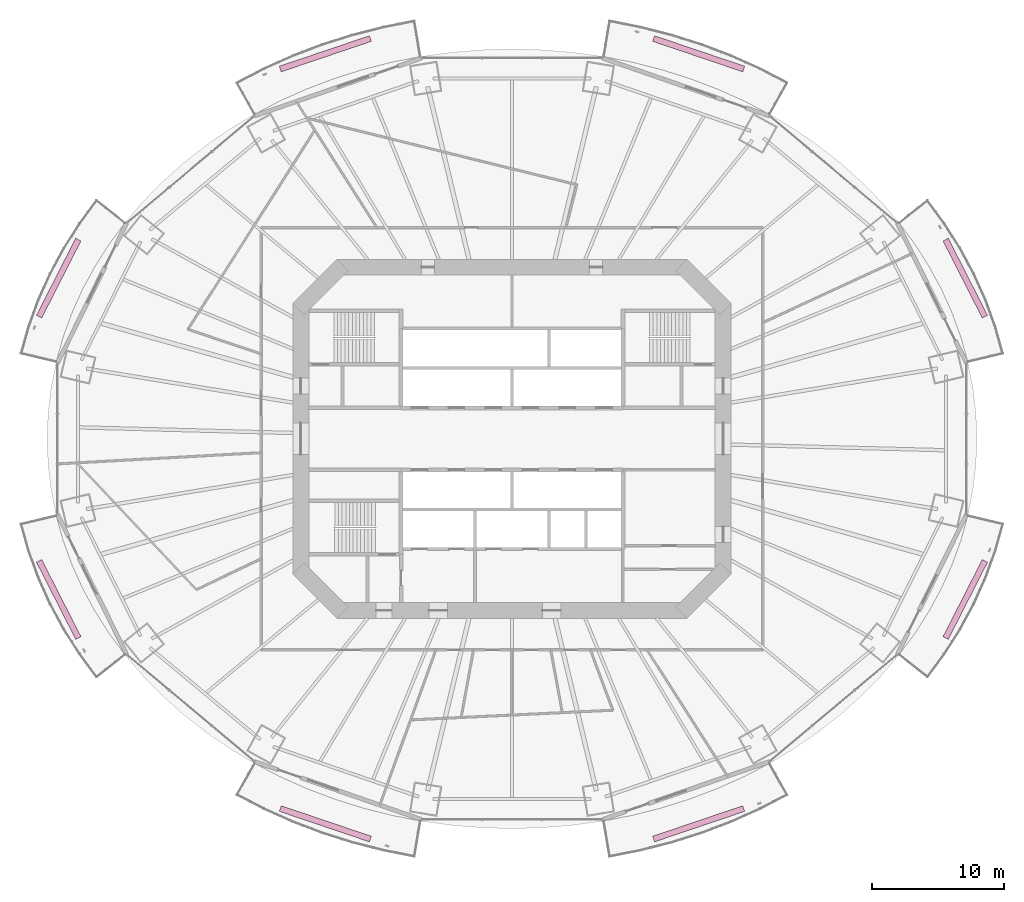
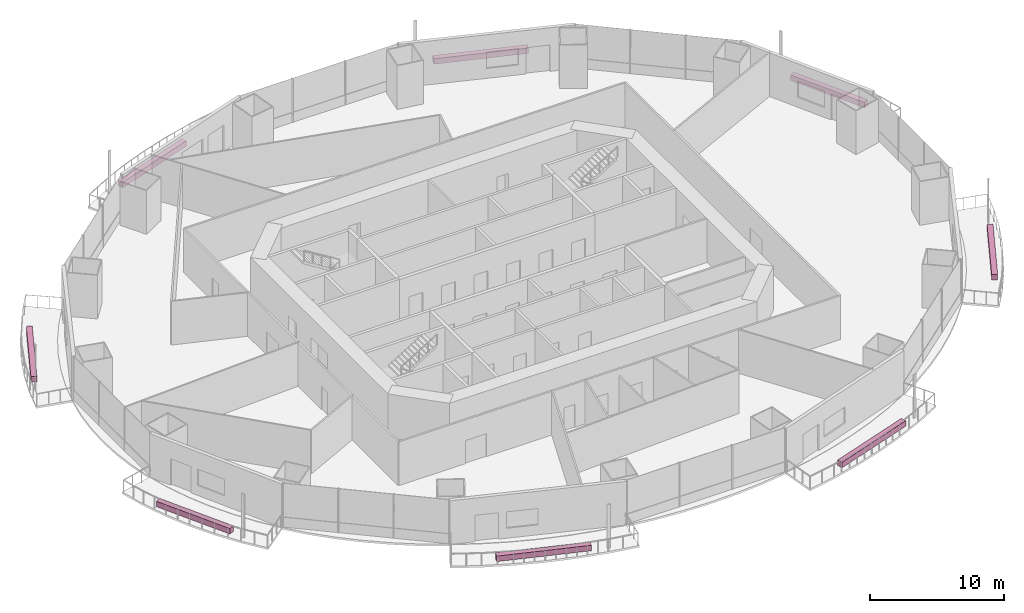
# One storey, part 22 of 22: 8 furnishings.
"""IFC4 building model written with IfcOpenShell, lengths in metres."""

from ifc_helpers import new_model, si_unit, direction, frame, origin, origin_2d, place, context, subcontext, project, spatial, rectangle, extrude, material, type_object, element, save


model = new_model("IFC4")

# Units and contexts
model_context = context("Model", 3, precision=1e-05, world=origin(), true_north=direction((0.0, 1.0)))
body_context = subcontext(model_context, "Body", "Model", "MODEL_VIEW")
ifc_project = project(units=[si_unit("LENGTHUNIT", "METRE"), si_unit("AREAUNIT", "SQUARE_METRE"), si_unit("VOLUMEUNIT", "CUBIC_METRE"), si_unit("PLANEANGLEUNIT", "RADIAN"), si_unit("MASSUNIT", "GRAM", prefix="KILO")], contexts=[model_context])

# Site, building, storey
site_placement = place(None, origin())
site = spatial("IfcSite", under=ifc_project, at=site_placement, CompositionType="ELEMENT")
building_placement = place(site_placement, origin())
building = spatial("IfcBuilding", under=site, at=building_placement, Name="Marenthal Gate Tower", CompositionType="ELEMENT")
storey_placement = place(building_placement, frame((0.0, 0.0, 82.800048828125)))
storey = spatial("IfcBuildingStorey", under=building, at=storey_placement, Name="L16", CompositionType="ELEMENT", Elevation=82.800048828125)

# Furnishings
ifc_material = material(Name="Planting soil and foliage", Category="planting")
furnishing_element_type = type_object("IfcFurnishingElementType", Name="Balcony PLANTER trough", material=ifc_material)
furnishing_1_placement = place(storey_placement, frame((34.342041015625, 12.1787109375, -0.0400390625), z_axis=(0.0, 0.0, 1.0), x_axis=(-0.453616424886, 0.891197025956, 0.0)))
element("IfcFurnishingElement", 1, at=furnishing_1_placement, inside=storey, type_object=furnishing_element_type, Name="Balcony PLANTER L16 bay 1", ObjectType="PLANTER", context=body_context, shape_type="SweptSolid", body=[
    extrude(rectangle(XDim=6.549072265625, YDim=0.449951171875, at=origin_2d()), origin(), (0.0, 0.0, 1.0), 0.5),
])
for number, where, z_axis, x_axis, name in (
    (2, (14.14306640625, 29.172119140625, -0.0400390625), (0.0, 0.0, 1.0), (-0.947301642878, 0.32034293718, 0.0), "Balcony PLANTER L16 bay 3"),
    (3, (-14.14306640625, 29.172119140625, -0.0400390625), (0.0, 0.0, 1.0), (-0.947301642878, -0.32034293718, 0.0), "Balcony PLANTER L16 bay 5"),
):
    element("IfcFurnishingElement", number, at=place(storey_placement, frame(where, z_axis=z_axis, x_axis=x_axis)), inside=storey, type_object=furnishing_element_type, Name=name, ObjectType="PLANTER", context=body_context, shape_type="SweptSolid", body=[
        extrude(rectangle(XDim=7.203125, YDim=0.449951171875, at=origin_2d()), origin(), (0.0, 0.0, 1.0), 0.5),
    ])
for number, where, z_axis, x_axis, name in (
    (4, (-34.342041015625, 12.1787109375, -0.0400390625), (0.0, 0.0, 1.0), (-0.453616424886, -0.891197025956, 0.0), "Balcony PLANTER L16 bay 7"),
    (5, (-34.342041015625, -12.1787109375, -0.0400390625), (0.0, 0.0, 1.0), (0.453616424886, -0.891197025956, 0.0), "Balcony PLANTER L16 bay 9"),
):
    element("IfcFurnishingElement", number, at=place(storey_placement, frame(where, z_axis=z_axis, x_axis=x_axis)), inside=storey, type_object=furnishing_element_type, Name=name, ObjectType="PLANTER", context=body_context, shape_type="SweptSolid", body=[
        extrude(rectangle(XDim=6.549072265625, YDim=0.449951171875, at=origin_2d()), origin(), (0.0, 0.0, 1.0), 0.5),
    ])
for number, where, z_axis, x_axis, name in (
    (6, (-14.14306640625, -29.172119140625, -0.0400390625), (0.0, 0.0, 1.0), (0.947301642878, -0.32034293718, 0.0), "Balcony PLANTER L16 bay 11"),
    (7, (14.14306640625, -29.172119140625, -0.0400390625), (0.0, 0.0, 1.0), (0.947301642878, 0.32034293718, 0.0), "Balcony PLANTER L16 bay 13"),
):
    element("IfcFurnishingElement", number, at=place(storey_placement, frame(where, z_axis=z_axis, x_axis=x_axis)), inside=storey, type_object=furnishing_element_type, Name=name, ObjectType="PLANTER", context=body_context, shape_type="SweptSolid", body=[
        extrude(rectangle(XDim=7.203125, YDim=0.449951171875, at=origin_2d()), origin(), (0.0, 0.0, 1.0), 0.5),
    ])
furnishing_2_placement = place(storey_placement, frame((34.342041015625, -12.1787109375, -0.0400390625), z_axis=(0.0, 0.0, 1.0), x_axis=(0.453616424886, 0.891197025956, 0.0)))
element("IfcFurnishingElement", 8, at=furnishing_2_placement, inside=storey, type_object=furnishing_element_type, Name="Balcony PLANTER L16 bay 15", ObjectType="PLANTER", context=body_context, shape_type="SweptSolid", body=[
    extrude(rectangle(XDim=6.549072265625, YDim=0.449951171875, at=origin_2d()), origin(), (0.0, 0.0, 1.0), 0.5),
])

save(model, "model.ifc")
